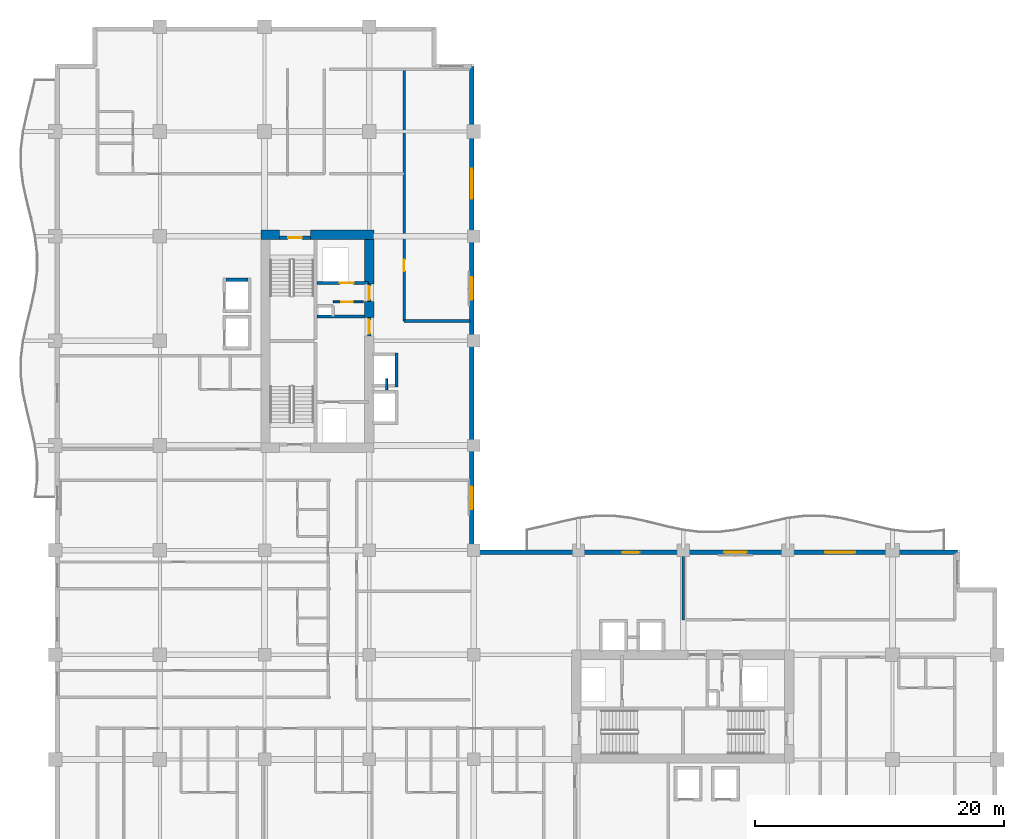
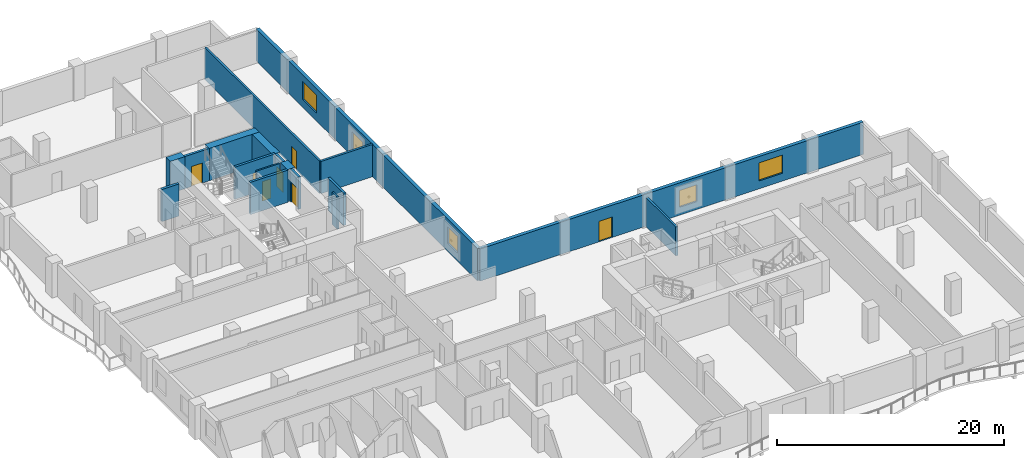
# One storey, part 8 of 16: 18 walls, 7 doors, 5 windows, 12 openings.
"""IFC4 building model written with IfcOpenShell, lengths in metres."""

from ifc_helpers import new_model, si_unit, direction, frame, frame_2d, origin, place, context, subcontext, project, spatial, rectangle, extrude, material, layer, layer_set, type_object, element, fill, save


model = new_model("IFC4")

# Units and contexts
model_context = context("Model", 3, precision=1e-05, world=origin(), true_north=direction((0.0, 1.0)))
body_context = subcontext(model_context, "Body", "Model", "MODEL_VIEW")
ifc_project = project(units=[si_unit("LENGTHUNIT", "METRE"), si_unit("AREAUNIT", "SQUARE_METRE"), si_unit("VOLUMEUNIT", "CUBIC_METRE"), si_unit("PLANEANGLEUNIT", "RADIAN"), si_unit("MASSUNIT", "GRAM", prefix="KILO")], contexts=[model_context])

# Site, building, storey
site_placement = place(None, origin())
site = spatial("IfcSite", under=ifc_project, at=site_placement, CompositionType="ELEMENT")
building_placement = place(site_placement, origin())
building = spatial("IfcBuilding", under=site, at=building_placement, Name="Koriwani Terraces Tower", CompositionType="ELEMENT")
storey_placement = place(building_placement, frame((0.0, 0.0, 186.5)))
storey = spatial("IfcBuildingStorey", under=building, at=storey_placement, Name="L45", CompositionType="ELEMENT", Elevation=186.5)

# Walls
ifc_material_1 = material(Name="Concrete C60/75", Category="concrete")
ifc_layer_1 = layer(ifc_material_1, 0.75, Name="Concrete C60/75")
ifc_layer_set_1 = layer_set([ifc_layer_1], Name="Concrete C60/75")
wall_type_1 = type_object("IfcWallType", Name="WALL_CORE_RC_750", PredefinedType="SHEAR", material=ifc_layer_set_1)
wall_1_placement = place(storey_placement, frame((16.5, 58.925048828125, 0.0), z_axis=(0.0, 0.0, 1.0), x_axis=(1.0, 0.0, 0.0)))
element("IfcWall", 1, at=wall_1_placement, inside=storey, type_object=wall_type_1, Name="L45 West Split Core Shear Wall N1", PredefinedType="SHEAR", context=body_context, shape_type="SweptSolid", body=[
    extrude(rectangle(XDim=1.5, YDim=0.75, at=frame_2d((0.75, 0.0))), origin(), (0.0, 0.0, 1.0), 3.469970703125),
])
wall_2_placement = place(storey_placement, frame((20.5, 58.925048828125, 0.0), z_axis=(0.0, 0.0, 1.0), x_axis=(1.0, 0.0, 0.0)))
element("IfcWall", 2, at=wall_2_placement, inside=storey, type_object=wall_type_1, Name="L45 West Split Core Shear Wall N2", PredefinedType="SHEAR", context=body_context, shape_type="SweptSolid", body=[
    extrude(rectangle(XDim=5.074951171875, YDim=0.75, at=frame_2d((2.53759765625, 0.0))), origin(), (0.0, 0.0, 1.0), 3.469970703125),
])
wall_3_placement = place(storey_placement, frame((25.199951171875, 52.280029296875, 0.0), z_axis=(0.0, 0.0, 1.0), x_axis=(0.0, 1.0, 0.0)))
element("IfcWall", 3, at=wall_3_placement, inside=storey, type_object=wall_type_1, Name="L45 West Split Core Shear Wall E2", PredefinedType="SHEAR", context=body_context, shape_type="SweptSolid", body=[
    extrude(rectangle(XDim=1.27001953125, YDim=0.75, at=frame_2d((0.635009765625, 0.0))), origin(), (0.0, 0.0, 1.0), 3.469970703125),
])
wall_4_placement = place(storey_placement, frame((25.199951171875, 54.949951171875, 0.0), z_axis=(0.0, 0.0, 1.0), x_axis=(0.0, 1.0, 0.0)))
element("IfcWall", 4, at=wall_4_placement, inside=storey, type_object=wall_type_1, Name="L45 West Split Core Shear Wall E3", PredefinedType="SHEAR", context=body_context, shape_type="SweptSolid", body=[
    extrude(rectangle(XDim=3.60009765625, YDim=0.75, at=frame_2d((1.800048828125, 0.0))), origin(), (0.0, 0.0, 1.0), 3.469970703125),
])

# Wall, opening, door
ifc_material_2 = material(Name="Autoclaved Cellular Concrete Blockwork", Category="masonry")
ifc_layer_2 = layer(ifc_material_2, 0.199951171875, Name="Autoclaved Cellular Concrete Blockwork")
ifc_layer_set_2 = layer_set([ifc_layer_2], Name="Autoclaved Cellular Concrete Blockwork")
wall_type_2 = type_object("IfcWallType", Name="WALL_CORRIDOR_200", PredefinedType="PARTITIONING", material=ifc_layer_set_2)
wall_5_placement = place(storey_placement, frame((28.0, 52.0, 0.0), z_axis=(0.0, 0.0, 1.0), x_axis=(0.0, 1.0, 0.0)))
wall_5 = element("IfcWall", 5, at=wall_5_placement, inside=storey, type_object=wall_type_2, Name="L45 Interior Wall WNWT2-W-L45", PredefinedType="PARTITIONING", context=body_context, shape_type="SweptSolid", body=[
    extrude(rectangle(XDim=20.199951171875, YDim=0.199951171875, at=frame_2d((10.10009765625, 0.0))), origin(), (0.0, 0.0, 1.0), 3.469970703125),
])
opening_1_placement = place(wall_5_placement, frame((4.0, 0.0, 0.0)))
opening_1 = element("IfcOpeningElement", 6, at=opening_1_placement, cuts=wall_5, Name="Opening D-06", PredefinedType="OPENING", context=body_context, shape_type="SweptSolid", body=[
    extrude(rectangle(XDim=0.919921875, YDim=2.10009765625, at=frame_2d((0.4599609375, 1.050048828125))), frame((0.0, 0.10986328125, 0.0), z_axis=(0.0, -1.0, 0.0), x_axis=(1.0, 0.0, 0.0)), (0.0, 0.0, 1.0), 0.219970703125),
])
ifc_material_3 = material(Name="Architectural Oak Fire Door", Category="wood")
door_type_1 = type_object("IfcDoorType", Name="DOOR_ROOM_INT_920X2100", OperationType="NOTDEFINED", PredefinedType="DOOR", material=ifc_material_3)
door_1_placement = place(opening_1_placement, origin())
door_1 = element("IfcDoor", 7, at=door_1_placement, inside=storey, type_object=door_type_1, Name="L45 North Court Lounge Door", OperationType="SINGLE_SWING_LEFT", OverallHeight=2.10009765625, OverallWidth=0.919921875, PredefinedType="DOOR", context=body_context, shape_type="SweptSolid", body=[
    extrude(rectangle(XDim=0.919921875, YDim=2.10009765625, at=frame_2d((0.4599609375, 1.050048828125))), frame((0.0, 0.02490234375, 0.0), z_axis=(0.0, -1.0, 0.0), x_axis=(1.0, 0.0, 0.0)), (0.0, 0.0, 1.0), 0.050048828125),
])
fill(opening_1, door_1)

# Walls
ifc_layer_3 = layer(ifc_material_2, 0.219970703125, Name="Autoclaved Cellular Concrete Blockwork")
ifc_layer_set_3 = layer_set([ifc_layer_3], Name="Autoclaved Cellular Concrete Blockwork")
wall_type_3 = type_object("IfcWallType", Name="WALL_DEMISING_220", PredefinedType="PARTITIONING", material=ifc_layer_set_3)
wall_6_placement = place(storey_placement, frame((28.0, 52.0, 0.0), z_axis=(0.0, 0.0, 1.0), x_axis=(1.0, 0.0, 0.0)))
element("IfcWall", 8, at=wall_6_placement, inside=storey, type_object=wall_type_3, Name="L45 Interior Wall WNWT2-S-L45", PredefinedType="PARTITIONING", context=body_context, shape_type="SweptSolid", body=[
    extrude(rectangle(XDim=5.300048828125, YDim=0.219970703125, at=frame_2d((2.64990234375, 0.0))), origin(), (0.0, 0.0, 1.0), 3.469970703125),
])
wall_7_placement = place(storey_placement, frame((50.39990234375, 28.0, 0.0), z_axis=(0.0, 0.0, 1.0), x_axis=(0.0, 1.0, 0.0)))
element("IfcWall", 9, at=wall_7_placement, inside=storey, type_object=wall_type_3, Name="L45 Interior Wall WSEC-W-L45", PredefinedType="PARTITIONING", context=body_context, shape_type="SweptSolid", body=[
    extrude(rectangle(XDim=5.300048828125, YDim=0.219970703125, at=frame_2d((2.64990234375, 0.0))), origin(), (0.0, 0.0, 1.0), 3.115966796875),
])

# Wall, openings, windows
ifc_material_4 = material(Name="Concrete C50/60", Category="concrete")
ifc_layer_4 = layer(ifc_material_4, 0.35009765625, Name="Concrete C50/60")
ifc_layer_set_4 = layer_set([ifc_layer_4], Name="Concrete C50/60")
wall_type_4 = type_object("IfcWallType", Name="WALL_EXT_BRUTALIST_350", PredefinedType="STANDARD", material=ifc_layer_set_4)
wall_8_placement = place(storey_placement, frame((33.425048828125, 72.425048828125, 0.0), z_axis=(0.0, 0.0, 1.0), x_axis=(0.0, -1.0, 0.0)))
wall_8 = element("IfcWall", 10, at=wall_8_placement, inside=storey, type_object=wall_type_4, Name="L45 Fair-Faced Brutalist Exterior Wall (NW_IN)", PredefinedType="STANDARD", context=body_context, shape_type="SweptSolid", body=[
    extrude(rectangle(XDim=39.0, YDim=0.35009765625, at=frame_2d((19.5, 0.0))), origin(), (0.0, 0.0, 1.0), 3.469970703125),
])
opening_2_placement = place(wall_8_placement, frame((33.72509765625, 0.0, 0.85009765625)))
opening_2 = element("IfcOpeningElement", 11, at=opening_2_placement, cuts=wall_8, Name="Opening W-04", PredefinedType="OPENING", context=body_context, shape_type="SweptSolid", body=[
    extrude(rectangle(XDim=1.800048828125, YDim=1.800048828125, at=frame_2d((0.89990234375, 0.89990234375))), frame((0.0, 0.18505859375, 0.0), z_axis=(0.0, -1.0, 0.0), x_axis=(1.0, 0.0, 0.0)), (0.0, 0.0, 1.0), 0.3701171875),
])
opening_3_placement = place(wall_8_placement, frame((16.925048828125, 0.0, 0.85009765625)))
opening_3 = element("IfcOpeningElement", 12, at=opening_3_placement, cuts=wall_8, Name="Opening W-04", PredefinedType="OPENING", context=body_context, shape_type="SweptSolid", body=[
    extrude(rectangle(XDim=1.800048828125, YDim=1.800048828125, at=frame_2d((0.89990234375, 0.89990234375))), frame((0.0, 0.18505859375, 0.0), z_axis=(0.0, -1.0, 0.0), x_axis=(1.0, 0.0, 0.0)), (0.0, 0.0, 1.0), 0.3701171875),
])
opening_4_placement = place(wall_8_placement, frame((8.22509765625, 0.0, 0.85009765625)))
opening_4 = element("IfcOpeningElement", 13, at=opening_4_placement, cuts=wall_8, Name="Opening W-03", PredefinedType="OPENING", context=body_context, shape_type="SweptSolid", body=[
    extrude(rectangle(XDim=2.39990234375, YDim=1.949951171875, at=frame_2d((1.199951171875, 0.97509765625))), frame((0.0, 0.18505859375, 0.0), z_axis=(0.0, -1.0, 0.0), x_axis=(1.0, 0.0, 0.0)), (0.0, 0.0, 1.0), 0.3701171875),
])
ifc_material_5 = material(Name="Tempered Laminated Low-E Glass", Category="glass")
window_type_1 = type_object("IfcWindowType", Name="WIN_RES_BED_1800X1800", PartitioningType="DOUBLE_PANEL_VERTICAL", PredefinedType="WINDOW", material=ifc_material_5)
window_1_placement = place(opening_2_placement, origin())
window_1 = element("IfcWindow", 14, at=window_1_placement, inside=storey, type_object=window_type_1, Name="L45 Exterior Window (NW_IN-2)", OverallHeight=1.800048828125, OverallWidth=1.800048828125, PartitioningType="SINGLE_PANEL", PredefinedType="WINDOW", context=body_context, shape_type="SweptSolid", body=[
    extrude(rectangle(XDim=1.800048828125, YDim=1.800048828125, at=frame_2d((0.89990234375, 0.89990234375))), frame((0.0, 0.030029296875, 0.0), z_axis=(0.0, -1.0, 0.0), x_axis=(1.0, 0.0, 0.0)), (0.0, 0.0, 1.0), 0.06005859375),
])
fill(opening_2, window_1)
window_2_placement = place(opening_3_placement, origin())
window_2 = element("IfcWindow", 15, at=window_2_placement, inside=storey, type_object=window_type_1, Name="L45 Exterior Window (NW_IN-8)", OverallHeight=1.800048828125, OverallWidth=1.800048828125, PartitioningType="SINGLE_PANEL", PredefinedType="WINDOW", context=body_context, shape_type="SweptSolid", body=[
    extrude(rectangle(XDim=1.800048828125, YDim=1.800048828125, at=frame_2d((0.89990234375, 0.89990234375))), frame((0.0, 0.030029296875, 0.0), z_axis=(0.0, -1.0, 0.0), x_axis=(1.0, 0.0, 0.0)), (0.0, 0.0, 1.0), 0.06005859375),
])
fill(opening_3, window_2)
window_type_2 = type_object("IfcWindowType", Name="WIN_RES_LIVING_2400X1950", PartitioningType="DOUBLE_PANEL_VERTICAL", PredefinedType="WINDOW", material=ifc_material_5)
window_3_placement = place(opening_4_placement, origin())
window_3 = element("IfcWindow", 16, at=window_3_placement, inside=storey, type_object=window_type_2, Name="L45 Exterior Window (NW_IN-11)", OverallHeight=1.949951171875, OverallWidth=2.39990234375, PartitioningType="SINGLE_PANEL", PredefinedType="WINDOW", context=body_context, shape_type="SweptSolid", body=[
    extrude(rectangle(XDim=2.39990234375, YDim=1.949951171875, at=frame_2d((1.199951171875, 0.97509765625))), frame((0.0, 0.030029296875, 0.0), z_axis=(0.0, -1.0, 0.0), x_axis=(1.0, 0.0, 0.0)), (0.0, 0.0, 1.0), 0.06005859375),
])
fill(opening_4, window_3)

# Wall, openings, door, windows
wall_9_placement = place(storey_placement, frame((33.425048828125, 33.425048828125, 0.0), z_axis=(0.0, 0.0, 1.0), x_axis=(1.0, 0.0, 0.0)))
wall_9 = element("IfcWall", 17, at=wall_9_placement, inside=storey, type_object=wall_type_4, Name="L45 Fair-Faced Brutalist Exterior Wall (NE)", PredefinedType="STANDARD", context=body_context, shape_type="SweptSolid", body=[
    extrude(rectangle(XDim=39.0, YDim=0.35009765625, at=frame_2d((19.5, 0.0))), origin(), (0.0, 0.0, 1.0), 3.469970703125),
])
opening_5_placement = place(wall_9_placement, frame((12.074951171875, 0.0, 0.0)))
opening_5 = element("IfcOpeningElement", 18, at=opening_5_placement, cuts=wall_9, Name="Opening D-09", PredefinedType="OPENING", context=body_context, shape_type="SweptSolid", body=[
    extrude(rectangle(XDim=1.39990234375, YDim=2.199951171875, at=frame_2d((0.699951171875, 1.10009765625))), frame((0.0, 0.18505859375, 0.0), z_axis=(0.0, -1.0, 0.0), x_axis=(1.0, 0.0, 0.0)), (0.0, 0.0, 1.0), 0.3701171875),
])
opening_6_placement = place(wall_9_placement, frame((20.27490234375, 0.0, 0.85009765625)))
opening_6 = element("IfcOpeningElement", 19, at=opening_6_placement, cuts=wall_9, Name="Opening W-04", PredefinedType="OPENING", context=body_context, shape_type="SweptSolid", body=[
    extrude(rectangle(XDim=1.800048828125, YDim=1.800048828125, at=frame_2d((0.89990234375, 0.89990234375))), frame((0.0, 0.18505859375, 0.0), z_axis=(0.0, -1.0, 0.0), x_axis=(1.0, 0.0, 0.0)), (0.0, 0.0, 1.0), 0.3701171875),
])
opening_7_placement = place(wall_9_placement, frame((28.375, 0.0, 0.85009765625)))
opening_7 = element("IfcOpeningElement", 20, at=opening_7_placement, cuts=wall_9, Name="Opening W-03", PredefinedType="OPENING", context=body_context, shape_type="SweptSolid", body=[
    extrude(rectangle(XDim=2.39990234375, YDim=1.949951171875, at=frame_2d((1.199951171875, 0.97509765625))), frame((0.0, 0.18505859375, 0.0), z_axis=(0.0, -1.0, 0.0), x_axis=(1.0, 0.0, 0.0)), (0.0, 0.0, 1.0), 0.3701171875),
])
ifc_material_6 = material(Name="Anodised Bronze Aluminium", Category="aluminium")
door_type_2 = type_object("IfcDoorType", Name="DOOR_BALCONY_GLAZED_1400X2200", OperationType="NOTDEFINED", PredefinedType="DOOR", material=ifc_material_6)
door_2_placement = place(opening_5_placement, origin())
door_2 = element("IfcDoor", 21, at=door_2_placement, inside=storey, type_object=door_type_2, Name="L45 Inner Court Balcony Glazed Door", OperationType="SINGLE_SWING_LEFT", OverallHeight=2.199951171875, OverallWidth=1.39990234375, PredefinedType="DOOR", context=body_context, shape_type="SweptSolid", body=[
    extrude(rectangle(XDim=1.39990234375, YDim=2.199951171875, at=frame_2d((0.699951171875, 1.10009765625))), frame((0.0, 0.02490234375, 0.0), z_axis=(0.0, -1.0, 0.0), x_axis=(1.0, 0.0, 0.0)), (0.0, 0.0, 1.0), 0.050048828125),
])
fill(opening_5, door_2)
window_4_placement = place(opening_6_placement, origin())
window_4 = element("IfcWindow", 22, at=window_4_placement, inside=storey, type_object=window_type_1, Name="L45 Exterior Window (NE-8)", OverallHeight=1.800048828125, OverallWidth=1.800048828125, PartitioningType="SINGLE_PANEL", PredefinedType="WINDOW", context=body_context, shape_type="SweptSolid", body=[
    extrude(rectangle(XDim=1.800048828125, YDim=1.800048828125, at=frame_2d((0.89990234375, 0.89990234375))), frame((0.0, 0.030029296875, 0.0), z_axis=(0.0, -1.0, 0.0), x_axis=(1.0, 0.0, 0.0)), (0.0, 0.0, 1.0), 0.06005859375),
])
fill(opening_6, window_4)
window_5_placement = place(opening_7_placement, origin())
window_5 = element("IfcWindow", 23, at=window_5_placement, inside=storey, type_object=window_type_2, Name="L45 Exterior Window (NE-11)", OverallHeight=1.949951171875, OverallWidth=2.39990234375, PartitioningType="SINGLE_PANEL", PredefinedType="WINDOW", context=body_context, shape_type="SweptSolid", body=[
    extrude(rectangle(XDim=2.39990234375, YDim=1.949951171875, at=frame_2d((1.199951171875, 0.97509765625))), frame((0.0, 0.030029296875, 0.0), z_axis=(0.0, -1.0, 0.0), x_axis=(1.0, 0.0, 0.0)), (0.0, 0.0, 1.0), 0.06005859375),
])
fill(opening_7, window_5)

# Wall, opening, door
ifc_material_7 = material(Name="Concrete C40/50", Category="concrete")
ifc_layer_5 = layer(ifc_material_7, 0.25, Name="Concrete C40/50")
ifc_layer_set_5 = layer_set([ifc_layer_5], Name="Concrete C40/50")
wall_type_5 = type_object("IfcWallType", Name="WALL_SHAFT_RATED_250", PredefinedType="SOLIDWALL", material=ifc_layer_set_5)
wall_10_placement = place(storey_placement, frame((18.0, 58.675048828125, 0.0), z_axis=(0.0, 0.0, 1.0), x_axis=(1.0, 0.0, 0.0)))
wall_10 = element("IfcWall", 24, at=wall_10_placement, inside=storey, type_object=wall_type_5, Name="L45 Interior Wall WIN-CW-L45-STN", PredefinedType="SOLIDWALL", context=body_context, shape_type="SweptSolid", body=[
    extrude(rectangle(XDim=2.5, YDim=0.25, at=frame_2d((1.25, 0.0))), origin(), (0.0, 0.0, 1.0), 3.469970703125),
])
opening_8_placement = place(wall_10_placement, frame((0.699951171875, 0.0, 0.0)))
opening_8 = element("IfcOpeningElement", 25, at=opening_8_placement, cuts=wall_10, Name="Opening D-03", PredefinedType="OPENING", context=body_context, shape_type="SweptSolid", body=[
    extrude(rectangle(XDim=1.10009765625, YDim=2.14990234375, at=frame_2d((0.550048828125, 1.074951171875))), frame((0.0, 0.135009765625, 0.0), z_axis=(0.0, -1.0, 0.0), x_axis=(1.0, 0.0, 0.0)), (0.0, 0.0, 1.0), 0.27001953125),
])
ifc_material_8 = material(Name="Steel ASTM A572 Grade 50", Category="steel")
door_type_3 = type_object("IfcDoorType", Name="DOOR_STAIR_FIRE_1100X2150", OperationType="NOTDEFINED", PredefinedType="DOOR", material=ifc_material_8)
door_3_placement = place(opening_8_placement, origin())
door_3 = element("IfcDoor", 26, at=door_3_placement, inside=storey, type_object=door_type_3, Name="L45 Exit Stair ST-W2 Door", OperationType="SINGLE_SWING_RIGHT", OverallHeight=2.14990234375, OverallWidth=1.10009765625, PredefinedType="DOOR", context=body_context, shape_type="SweptSolid", body=[
    extrude(rectangle(XDim=1.10009765625, YDim=2.14990234375, at=frame_2d((0.550048828125, 1.074951171875))), frame((0.0, 0.02490234375, 0.0), z_axis=(0.0, -1.0, 0.0), x_axis=(1.0, 0.0, 0.0)), (0.0, 0.0, 1.0), 0.050048828125),
])
fill(opening_8, door_3)

wall_11_placement = place(storey_placement, frame((25.199951171875, 50.800048828125, 0.0), z_axis=(0.0, 0.0, 1.0), x_axis=(0.0, 1.0, 0.0)))
wall_11 = element("IfcWall", 27, at=wall_11_placement, inside=storey, type_object=wall_type_5, Name="L45 Interior Wall WIN-CW-L45-EP", PredefinedType="SOLIDWALL", context=body_context, shape_type="SweptSolid", body=[
    extrude(rectangle(XDim=1.47998046875, YDim=0.25, at=frame_2d((0.739990234375, 0.0))), origin(), (0.0, 0.0, 1.0), 3.469970703125),
])
opening_9_placement = place(wall_11_placement, frame((0.179931640625, 0.0, 0.0)))
opening_9 = element("IfcOpeningElement", 28, at=opening_9_placement, cuts=wall_11, Name="Opening D-03", PredefinedType="OPENING", context=body_context, shape_type="SweptSolid", body=[
    extrude(rectangle(XDim=1.10009765625, YDim=2.14990234375, at=frame_2d((0.550048828125, 1.074951171875))), frame((0.0, 0.135009765625, 0.0), z_axis=(0.0, -1.0, 0.0), x_axis=(1.0, 0.0, 0.0)), (0.0, 0.0, 1.0), 0.27001953125),
])
door_4_placement = place(opening_9_placement, origin())
door_4 = element("IfcDoor", 29, at=door_4_placement, inside=storey, type_object=door_type_3, Name="L45 West Firefighting Lobby Door", OperationType="SINGLE_SWING_LEFT", OverallHeight=2.14990234375, OverallWidth=1.10009765625, PredefinedType="DOOR", context=body_context, shape_type="SweptSolid", body=[
    extrude(rectangle(XDim=1.10009765625, YDim=2.14990234375, at=frame_2d((0.550048828125, 1.074951171875))), frame((0.0, 0.02490234375, 0.0), z_axis=(0.0, -1.0, 0.0), x_axis=(1.0, 0.0, 0.0)), (0.0, 0.0, 1.0), 0.050048828125),
])
fill(opening_9, door_4)

# Wall
wall_12_placement = place(storey_placement, frame((21.0, 52.340087890625, 0.0), z_axis=(0.0, 0.0, 1.0), x_axis=(1.0, 0.0, 0.0)))
element("IfcWall", 30, at=wall_12_placement, inside=storey, type_object=wall_type_5, Name="L45 Interior Wall WIN-CW-L45-FFN", PredefinedType="SOLIDWALL", context=body_context, shape_type="SweptSolid", body=[
    extrude(rectangle(XDim=3.824951171875, YDim=0.25, at=frame_2d((1.91259765625, 0.0))), origin(), (0.0, 0.0, 1.0), 3.469970703125),
])

# Wall, opening, door
wall_13_placement = place(storey_placement, frame((21.0, 55.050048828125, 0.0), z_axis=(0.0, 0.0, 1.0), x_axis=(1.0, 0.0, 0.0)))
wall_13 = element("IfcWall", 31, at=wall_13_placement, inside=storey, type_object=wall_type_5, Name="L45 Interior Wall WIN-CW-L45-SE", PredefinedType="SOLIDWALL", context=body_context, shape_type="SweptSolid", body=[
    extrude(rectangle(XDim=4.14990234375, YDim=0.25, at=frame_2d((2.074951171875, 0.0))), origin(), (0.0, 0.0, 1.0), 3.469970703125),
])
opening_10_placement = place(wall_13_placement, frame((1.85009765625, 0.0, 0.0)))
opening_10 = element("IfcOpeningElement", 32, at=opening_10_placement, cuts=wall_13, Name="Opening LD-01", PredefinedType="OPENING", context=body_context, shape_type="SweptSolid", body=[
    extrude(rectangle(XDim=1.10009765625, YDim=2.14990234375, at=frame_2d((0.550048828125, 1.074951171875))), frame((0.0, 0.135009765625, 0.0), z_axis=(0.0, -1.0, 0.0), x_axis=(1.0, 0.0, 0.0)), (0.0, 0.0, 1.0), 0.27001953125),
])
door_type_4 = type_object("IfcDoorType", Name="DOOR_LIFT_LANDING_1100X2200", OperationType="NOTDEFINED", PredefinedType="DOOR", material=ifc_material_8)
door_5_placement = place(opening_10_placement, origin())
door_5 = element("IfcDoor", 33, at=door_5_placement, inside=storey, type_object=door_type_4, Name="L45 Goods Lift SE-01 Landing Door", OperationType="SLIDING_TO_LEFT", OverallHeight=2.14990234375, OverallWidth=1.10009765625, PredefinedType="DOOR", context=body_context, shape_type="SweptSolid", body=[
    extrude(rectangle(XDim=1.10009765625, YDim=2.14990234375, at=frame_2d((0.550048828125, 1.074951171875))), frame((0.0, 0.02490234375, 0.0), z_axis=(0.0, -1.0, 0.0), x_axis=(1.0, 0.0, 0.0)), (0.0, 0.0, 1.0), 0.050048828125),
])
fill(opening_10, door_5)

wall_14_placement = place(storey_placement, frame((25.199951171875, 53.550048828125, 0.0), z_axis=(0.0, 0.0, 1.0), x_axis=(0.0, 1.0, 0.0)))
wall_14 = element("IfcWall", 34, at=wall_14_placement, inside=storey, type_object=wall_type_5, Name="L45 Interior Wall WIN-CW-L45-EP2", PredefinedType="SOLIDWALL", context=body_context, shape_type="SweptSolid", body=[
    extrude(rectangle(XDim=1.39990234375, YDim=0.25, at=frame_2d((0.699951171875, 0.0))), origin(), (0.0, 0.0, 1.0), 3.469970703125),
])
opening_11_placement = place(wall_14_placement, frame((0.14990234375, 0.0, 0.0)))
opening_11 = element("IfcOpeningElement", 35, at=opening_11_placement, cuts=wall_14, Name="Opening D-03", PredefinedType="OPENING", context=body_context, shape_type="SweptSolid", body=[
    extrude(rectangle(XDim=1.10009765625, YDim=2.14990234375, at=frame_2d((0.550048828125, 1.074951171875))), frame((0.0, 0.135009765625, 0.0), z_axis=(0.0, -1.0, 0.0), x_axis=(1.0, 0.0, 0.0)), (0.0, 0.0, 1.0), 0.27001953125),
])
door_6_placement = place(opening_11_placement, origin())
door_6 = element("IfcDoor", 36, at=door_6_placement, inside=storey, type_object=door_type_3, Name="L45 West Goods Lift Lobby Door", OperationType="SINGLE_SWING_RIGHT", OverallHeight=2.14990234375, OverallWidth=1.10009765625, PredefinedType="DOOR", context=body_context, shape_type="SweptSolid", body=[
    extrude(rectangle(XDim=1.10009765625, YDim=2.14990234375, at=frame_2d((0.550048828125, 1.074951171875))), frame((0.0, 0.02490234375, 0.0), z_axis=(0.0, -1.0, 0.0), x_axis=(1.0, 0.0, 0.0)), (0.0, 0.0, 1.0), 0.050048828125),
])
fill(opening_11, door_6)

# Walls
wall_15_placement = place(storey_placement, frame((13.72509765625, 55.300048828125, 0.0), z_axis=(0.0, 0.0, 1.0), x_axis=(1.0, 0.0, 0.0)))
element("IfcWall", 37, at=wall_15_placement, inside=storey, type_object=wall_type_5, Name="L45 Interior Wall WIN-LF-PE-M2-L45-N", PredefinedType="SOLIDWALL", context=body_context, shape_type="SweptSolid", body=[
    extrude(rectangle(XDim=1.75, YDim=0.25, at=frame_2d((0.875, 0.0))), origin(), (0.0, 0.0, 1.0), 3.469970703125),
])
wall_16_placement = place(storey_placement, frame((27.39990234375, 46.675048828125, 0.0), z_axis=(0.0, 0.0, 1.0), x_axis=(0.0, 1.0, 0.0)))
element("IfcWall", 38, at=wall_16_placement, inside=storey, type_object=wall_type_5, Name="L45 Interior Wall WIN-LF-PE-H2-L45-F", PredefinedType="SOLIDWALL", context=body_context, shape_type="SweptSolid", body=[
    extrude(rectangle(XDim=2.75, YDim=0.25, at=frame_2d((1.375, 0.0))), origin(), (0.0, 0.0, 1.0), 3.469970703125),
])

# Wall, opening, door
ifc_material_9 = material(Name="Fire-Rated Acoustic Gypsum Partition", Category="masonry")
ifc_layer_6 = layer(ifc_material_9, 0.159912109375, Name="Fire-Rated Acoustic Gypsum Partition")
ifc_layer_set_6 = layer_set([ifc_layer_6], Name="Fire-Rated Acoustic Gypsum Partition")
wall_type_6 = type_object("IfcWallType", Name="WALL_SUITE_160", PredefinedType="PARTITIONING", material=ifc_layer_set_6)
wall_17_placement = place(storey_placement, frame((22.320068359375, 53.52001953125, 0.0), z_axis=(0.0, 0.0, 1.0), x_axis=(1.0, 0.0, 0.0)))
wall_17 = element("IfcWall", 39, at=wall_17_placement, inside=storey, type_object=wall_type_6, Name="L45 Interior Wall WIN-CW-L45-SV0", PredefinedType="PARTITIONING", context=body_context, shape_type="SweptSolid", body=[
    extrude(rectangle(XDim=2.39990234375, YDim=0.159912109375, at=frame_2d((1.199951171875, 0.0))), origin(), (0.0, 0.0, 1.0), 3.469970703125),
])
opening_12_placement = place(wall_17_placement, frame((0.64990234375, 0.0, 0.0)))
opening_12 = element("IfcOpeningElement", 40, at=opening_12_placement, cuts=wall_17, Name="Opening D-07", PredefinedType="OPENING", context=body_context, shape_type="SweptSolid", body=[
    extrude(rectangle(XDim=0.89990234375, YDim=2.10009765625, at=frame_2d((0.449951171875, 1.050048828125))), frame((0.0, 0.08984375, 0.0), z_axis=(0.0, -1.0, 0.0), x_axis=(1.0, 0.0, 0.0)), (0.0, 0.0, 1.0), 0.179931640625),
])
door_type_5 = type_object("IfcDoorType", Name="DOOR_BATH_INT_900X2100", OperationType="NOTDEFINED", PredefinedType="DOOR", material=ifc_material_3)
door_7_placement = place(opening_12_placement, origin())
door_7 = element("IfcDoor", 41, at=door_7_placement, inside=storey, type_object=door_type_5, Name="L45 West Electrical Switch Room Door", OperationType="SINGLE_SWING_LEFT", OverallHeight=2.10009765625, OverallWidth=0.89990234375, PredefinedType="DOOR", context=body_context, shape_type="SweptSolid", body=[
    extrude(rectangle(XDim=0.89990234375, YDim=2.10009765625, at=frame_2d((0.449951171875, 1.050048828125))), frame((0.0, 0.02490234375, 0.0), z_axis=(0.0, -1.0, 0.0), x_axis=(1.0, 0.0, 0.0)), (0.0, 0.0, 1.0), 0.050048828125),
])
fill(opening_12, door_7)

# Wall
wall_18_placement = place(storey_placement, frame((26.60009765625, 46.4599609375, 0.0), z_axis=(0.0, 0.0, 1.0), x_axis=(0.0, 1.0, 0.0)))
element("IfcWall", 42, at=wall_18_placement, inside=storey, type_object=wall_type_6, Name="L45 Interior Wall WIN-LF-PEH12-MID-L45", PredefinedType="PARTITIONING", context=body_context, shape_type="SweptSolid", body=[
    extrude(rectangle(XDim=0.880126953125, YDim=0.159912109375, at=frame_2d((0.43994140625, 0.0))), origin(), (0.0, 0.0, 1.0), 3.469970703125),
])

save(model, "model.ifc")
